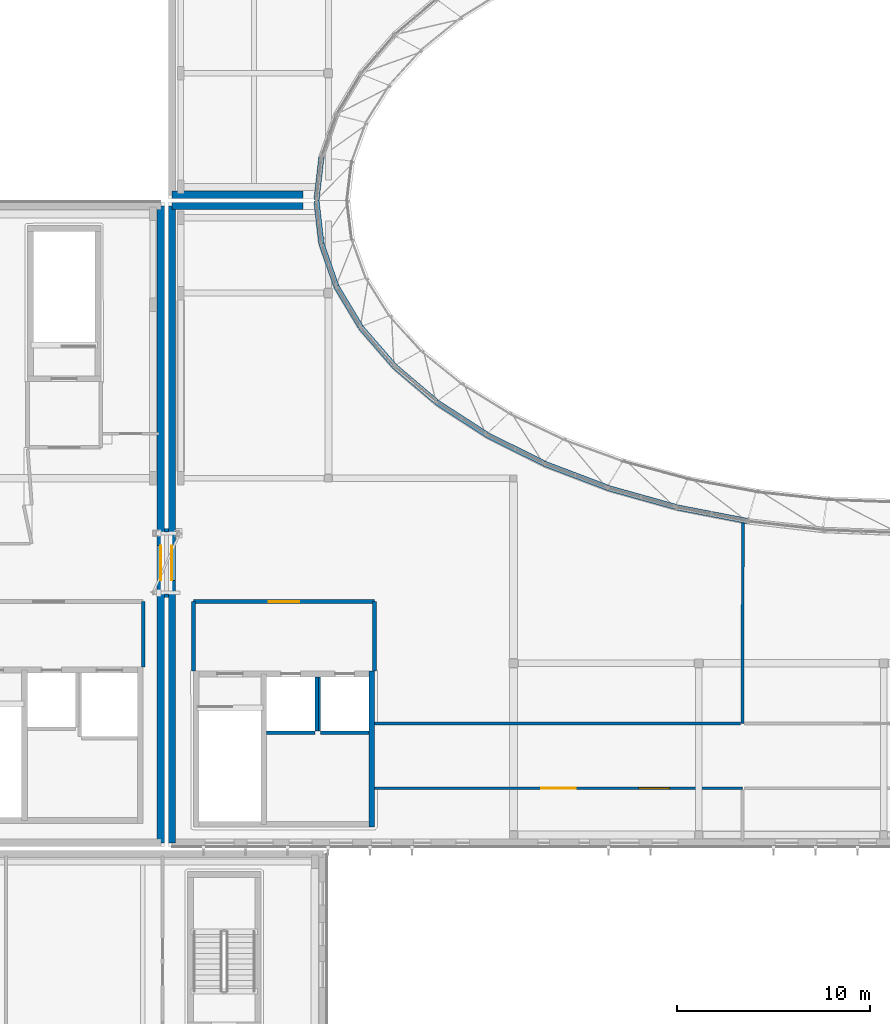
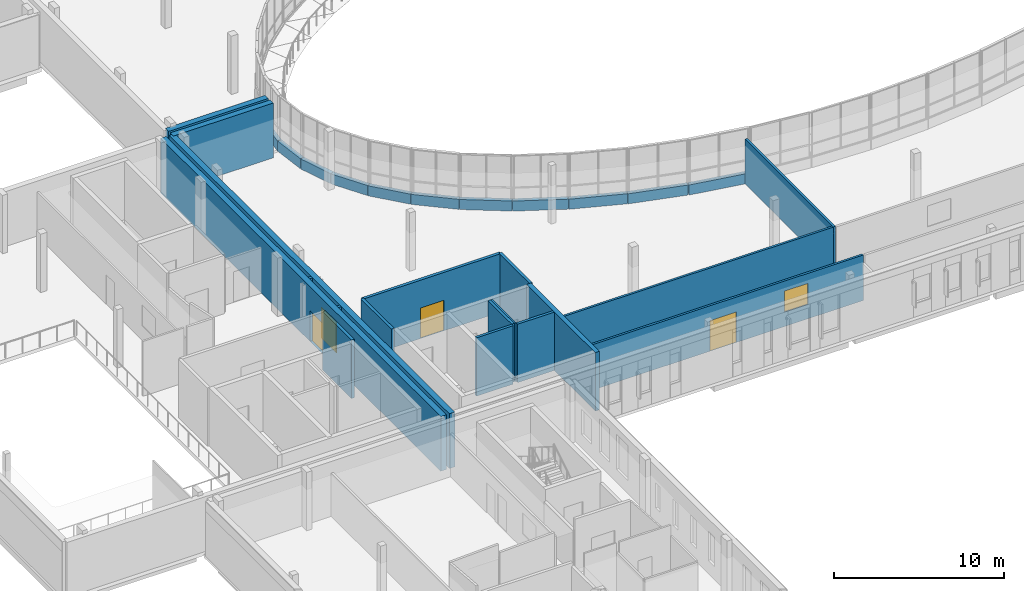
# One storey, part 40 of 73: 29 walls, 4 doors, 1 window, 5 openings.
"""IFC4 building model written with IfcOpenShell, lengths in metres."""

from ifc_helpers import new_model, si_unit, direction, frame, frame_2d, origin, place, context, subcontext, project, spatial, rectangle, extrude, material, layer, layer_set, type_object, element, fill, save


model = new_model("IFC4")

# Units and contexts
model_context = context("Model", 3, precision=1e-05, world=origin(), true_north=direction((0.0, 1.0)))
body_context = subcontext(model_context, "Body", "Model", "MODEL_VIEW")
ifc_project = project(units=[si_unit("LENGTHUNIT", "METRE"), si_unit("AREAUNIT", "SQUARE_METRE"), si_unit("VOLUMEUNIT", "CUBIC_METRE"), si_unit("PLANEANGLEUNIT", "RADIAN"), si_unit("MASSUNIT", "GRAM", prefix="KILO")], contexts=[model_context])

# Site, building, storey
site_placement = place(None, origin())
site = spatial("IfcSite", under=ifc_project, at=site_placement, CompositionType="ELEMENT")
building_placement = place(site_placement, origin())
building = spatial("IfcBuilding", under=site, at=building_placement, Name="Mzevani Central Library", CompositionType="ELEMENT")
storey_placement = place(building_placement, frame((0.0, 0.0, 9.60009765625)))
storey = spatial("IfcBuildingStorey", under=building, at=storey_placement, Name="L02", CompositionType="ELEMENT", Elevation=9.60009765625)

# Walls
ifc_material_1 = material(Name="Concrete C35/45", Category="concrete")
ifc_layer_1 = layer(ifc_material_1, 0.199951171875, Name="Compartment Wall 200")
ifc_layer_set_1 = layer_set([ifc_layer_1], Name="Concrete C35/45")
wall_type_1 = type_object("IfcWallType", Name="Compartment Wall 200", PredefinedType="STANDARD", material=ifc_layer_set_1)
for number, where, z_axis, x_axis, name in (
    (1, (45.89990234375, 55.5, 0.0), (0.0, 0.0, 1.0), (1.0, 0.0, 0.0), "L02 West Reading Seismic Passage L02 Seismic Joint Enclosure Wall 1"),
    (2, (45.89990234375, 58.89990234375, 0.0), (0.0, 0.0, 1.0), (1.0, 0.0, 0.0), "L02 West Reading Seismic Passage L02 Seismic Joint Enclosure Wall 2"),
):
    element("IfcWall", number, at=place(storey_placement, frame(where, z_axis=z_axis, x_axis=x_axis)), inside=storey, type_object=wall_type_1, Name=name, PredefinedType="STANDARD", context=body_context, shape_type="SweptSolid", body=[
        extrude(rectangle(XDim=0.2001953125, YDim=0.199951171875, at=frame_2d((0.10009765625, 0.0))), origin(), (0.0, 0.0, 1.0), 3.93994140625),
    ])
wall_1_placement = place(storey_placement, frame((47.39990234375, 51.60009765625, 0.0), z_axis=(0.0, 0.0, 1.0), x_axis=(0.0, 1.0, 0.0)))
element("IfcWall", 3, at=wall_1_placement, inside=storey, type_object=wall_type_1, Name="L02 Protected Stair Lobby C1A Enclosure Wall 1", PredefinedType="STANDARD", context=body_context, shape_type="SweptSolid", body=[
    extrude(rectangle(XDim=3.599853515625, YDim=0.199951171875, at=frame_2d((1.7998046875, 0.0))), origin(), (0.0, 0.0, 1.0), 4.199951171875),
])

# Wall, opening, door
wall_2_placement = place(storey_placement, frame((47.39990234375, 55.199951171875, 0.0), z_axis=(0.0, 0.0, 1.0), x_axis=(1.0, 0.0, 0.0)))
wall_2 = element("IfcWall", 4, at=wall_2_placement, inside=storey, type_object=wall_type_1, Name="L02 Protected Stair Lobby C1A Enclosure Wall 2", PredefinedType="STANDARD", context=body_context, shape_type="SweptSolid", body=[
    extrude(rectangle(XDim=9.400146484375, YDim=0.199951171875, at=frame_2d((4.7001953125, 0.0))), origin(), (0.0, 0.0, 1.0), 4.199951171875),
])
opening_1_placement = place(wall_2_placement, frame((3.89990234375, 0.0, 0.0)))
opening_1 = element("IfcOpeningElement", 5, at=opening_1_placement, cuts=wall_2, Name="Opening FD-02", PredefinedType="OPENING", context=body_context, shape_type="SweptSolid", body=[
    extrude(rectangle(XDim=1.60009765625, YDim=2.199951171875, at=frame_2d((0.800048828125, 1.10009765625))), frame((0.0, 0.10986328125, 0.0), z_axis=(0.0, -1.0, 0.0), x_axis=(1.0, 0.0, 0.0)), (0.0, 0.0, 1.0), 0.219970703125),
])
ifc_material_2 = material(Name="Fire-rated steel door assembly", Category="steel")
door_type_1 = type_object("IfcDoorType", Name="Fire Lobby Double Door 1600x2200", OperationType="NOTDEFINED", PredefinedType="DOOR", material=ifc_material_2)
door_1_placement = place(opening_1_placement, origin())
door_1 = element("IfcDoor", 6, at=door_1_placement, inside=storey, type_object=door_type_1, Name="L02 Protected Stair Lobby C1A Smoke-Control Door", OperationType="DOUBLE_DOOR_SINGLE_SWING", OverallHeight=2.199951171875, OverallWidth=1.60009765625, PredefinedType="DOOR", context=body_context, shape_type="SweptSolid", body=[
    extrude(rectangle(XDim=1.60009765625, YDim=2.199951171875, at=frame_2d((0.800048828125, 1.10009765625))), frame((0.0, 0.02490234375, 0.0), z_axis=(0.0, -1.0, 0.0), x_axis=(1.0, 0.0, 0.0)), (0.0, 0.0, 1.0), 0.050048828125),
])
fill(opening_1, door_1)

# Walls
wall_3_placement = place(storey_placement, frame((56.800048828125, 55.199951171875, 0.0), z_axis=(0.0, 0.0, 1.0), x_axis=(0.0, -1.0, 0.0)))
element("IfcWall", 7, at=wall_3_placement, inside=storey, type_object=wall_type_1, Name="L02 Protected Stair Lobby C1A Enclosure Wall 3", PredefinedType="STANDARD", context=body_context, shape_type="SweptSolid", body=[
    extrude(rectangle(XDim=3.599853515625, YDim=0.199951171875, at=frame_2d((1.7998046875, 0.0))), origin(), (0.0, 0.0, 1.0), 4.199951171875),
])
wall_4_placement = place(storey_placement, frame((44.800048828125, 55.199951171875, 0.0), z_axis=(0.0, 0.0, 1.0), x_axis=(0.0, -1.0, 0.0)))
element("IfcWall", 8, at=wall_4_placement, inside=storey, type_object=wall_type_1, Name="L02 Protected Stair Lobby C5A Enclosure Wall 3", PredefinedType="STANDARD", context=body_context, shape_type="SweptSolid", body=[
    extrude(rectangle(XDim=3.39990234375, YDim=0.199951171875, at=frame_2d((1.699951171875, 0.0))), origin(), (0.0, 0.0, 1.0), 4.199951171875),
])
ifc_material_3 = material(Name="Concrete C40/50", Category="concrete")
ifc_layer_2 = layer(ifc_material_3, 0.300048828125, Name="Core Shear Wall 300")
ifc_layer_set_2 = layer_set([ifc_layer_2], Name="Concrete C40/50")
wall_type_2 = type_object("IfcWallType", Name="Core Shear Wall 300", PredefinedType="SHEAR", material=ifc_layer_set_2)
wall_5_placement = place(storey_placement, frame((56.64990234375, 51.60009765625, 0.0), z_axis=(0.0, 0.0, 1.0), x_axis=(0.0, -1.0, 0.0)))
element("IfcWall", 9, at=wall_5_placement, inside=storey, type_object=wall_type_2, Name="L02 Core C1A Reading Hall West Shear Wall (+x)", PredefinedType="SHEAR", context=body_context, shape_type="SweptSolid", body=[
    extrude(rectangle(XDim=8.10009765625, YDim=0.300048828125, at=frame_2d((4.050048828125, 0.0))), origin(), (0.0, 0.0, 1.0), 4.199951171875),
])
ifc_material_4 = material(Name="Precast concrete C40/50", Category="concrete")
ifc_layer_3 = layer(ifc_material_4, 0.280029296875, Name="Court Spandrel Wall 280")
ifc_layer_set_3 = layer_set([ifc_layer_3], Name="Precast concrete C40/50")
wall_type_3 = type_object("IfcWallType", Name="Court Spandrel Wall 280", PredefinedType="STANDARD", material=ifc_layer_set_3)
for number, where, z_axis, x_axis, name in (
    (10, (54.036865234375, 78.228759765625, 0.0), (0.0, 0.0, 1.0), (-0.114794080666, -0.993389308904, 0.0), "L02 Elliptical Court Spandrel 24"),
    (11, (53.7802734375, 75.99169921875, 0.0), (0.0, 0.0, 1.0), (0.114794080666, -0.993389308904, 0.0), "L02 Elliptical Court Spandrel 25"),
):
    element("IfcWall", number, at=place(storey_placement, frame(where, z_axis=z_axis, x_axis=x_axis)), inside=storey, type_object=wall_type_3, Name=name, PredefinedType="STANDARD", context=body_context, shape_type="SweptSolid", body=[
        extrude(rectangle(XDim=2.2353515625, YDim=0.280029296875, at=frame_2d((1.11767578125, 0.0))), origin(), (0.0, 0.0, 1.0), 0.719970703125),
    ])
wall_6_placement = place(storey_placement, frame((54.0380859375, 73.7548828125, 0.0), z_axis=(0.0, 0.0, 1.0), x_axis=(0.331008570157, -0.943627747834, 0.0)))
element("IfcWall", 12, at=wall_6_placement, inside=storey, type_object=wall_type_3, Name="L02 Elliptical Court Spandrel 26", PredefinedType="STANDARD", context=body_context, shape_type="SweptSolid", body=[
    extrude(rectangle(XDim=2.31298828125, YDim=0.280029296875, at=frame_2d((1.156494140625, 0.0))), origin(), (0.0, 0.0, 1.0), 0.719970703125),
])
wall_7_placement = place(storey_placement, frame((54.80615234375, 71.555419921875, 0.0), z_axis=(0.0, 0.0, 1.0), x_axis=(0.513603793852, -0.858027472137, 0.0)))
element("IfcWall", 13, at=wall_7_placement, inside=storey, type_object=wall_type_3, Name="L02 Elliptical Court Spandrel 27", PredefinedType="STANDARD", context=body_context, shape_type="SweptSolid", body=[
    extrude(rectangle(XDim=2.4560546875, YDim=0.280029296875, at=frame_2d((1.22802734375, 0.0))), origin(), (0.0, 0.0, 1.0), 0.719970703125),
])
wall_8_placement = place(storey_placement, frame((56.07177734375, 69.430419921875, 0.0), z_axis=(0.0, 0.0, 1.0), x_axis=(0.656194711624, -0.754591611693, 0.0)))
element("IfcWall", 14, at=wall_8_placement, inside=storey, type_object=wall_type_3, Name="L02 Elliptical Court Spandrel 28", PredefinedType="STANDARD", context=body_context, shape_type="SweptSolid", body=[
    extrude(rectangle(XDim=2.64501953125, YDim=0.280029296875, at=frame_2d((1.322509765625, 0.0))), origin(), (0.0, 0.0, 1.0), 0.719970703125),
])
wall_9_placement = place(storey_placement, frame((57.8134765625, 67.416015625, 0.0), z_axis=(0.0, 0.0, 1.0), x_axis=(0.762423614177, -0.647078227531, 0.0)))
element("IfcWall", 15, at=wall_9_placement, inside=storey, type_object=wall_type_3, Name="L02 Elliptical Court Spandrel 29", PredefinedType="STANDARD", context=body_context, shape_type="SweptSolid", body=[
    extrude(rectangle(XDim=2.859619140625, YDim=0.280029296875, at=frame_2d((1.4296875, 0.0))), origin(), (0.0, 0.0, 1.0), 0.719970703125),
])
wall_10_placement = place(storey_placement, frame((60.00244140625, 65.545654296875, 0.0), z_axis=(0.0, 0.0, 1.0), x_axis=(0.839733807204, -0.54299828088, 0.0)))
element("IfcWall", 16, at=wall_10_placement, inside=storey, type_object=wall_type_3, Name="L02 Elliptical Court Spandrel 30", PredefinedType="STANDARD", context=body_context, shape_type="SweptSolid", body=[
    extrude(rectangle(XDim=3.081298828125, YDim=0.280029296875, at=frame_2d((1.54052734375, 0.0))), origin(), (0.0, 0.0, 1.0), 0.719970703125),
])
wall_11_placement = place(storey_placement, frame((62.60205078125, 63.85107421875, 0.0), z_axis=(0.0, 0.0, 1.0), x_axis=(0.89538829801, -0.44528619537, 0.0)))
element("IfcWall", 17, at=wall_11_placement, inside=storey, type_object=wall_type_3, Name="L02 Elliptical Court Spandrel 31", PredefinedType="STANDARD", context=body_context, shape_type="SweptSolid", body=[
    extrude(rectangle(XDim=3.295166015625, YDim=0.280029296875, at=frame_2d((1.6474609375, 0.0))), origin(), (0.0, 0.0, 1.0), 0.719970703125),
])
wall_12_placement = place(storey_placement, frame((65.5693359375, 62.36083984375, 0.0), z_axis=(0.0, 0.0, 1.0), x_axis=(0.935124674426, -0.354318844092, 0.0)))
element("IfcWall", 18, at=wall_12_placement, inside=storey, type_object=wall_type_3, Name="L02 Elliptical Court Spandrel 32", PredefinedType="STANDARD", context=body_context, shape_type="SweptSolid", body=[
    extrude(rectangle(XDim=3.4892578125, YDim=0.280029296875, at=frame_2d((1.74462890625, 0.0))), origin(), (0.0, 0.0, 1.0), 0.719970703125),
])
wall_13_placement = place(storey_placement, frame((68.855712890625, 61.100830078125, 0.0), z_axis=(0.0, 0.0, 1.0), x_axis=(0.963054168118, -0.269307759395, 0.0)))
element("IfcWall", 19, at=wall_13_placement, inside=storey, type_object=wall_type_3, Name="L02 Elliptical Court Spandrel 33", PredefinedType="STANDARD", context=body_context, shape_type="SweptSolid", body=[
    extrude(rectangle(XDim=3.654296875, YDim=0.280029296875, at=frame_2d((1.8271484375, 0.0))), origin(), (0.0, 0.0, 1.0), 0.719970703125),
])
wall_14_placement = place(storey_placement, frame((72.406494140625, 60.093994140625, 0.0), z_axis=(0.0, 0.0, 1.0), x_axis=(0.981969613273, -0.189038828311, 0.0)))
element("IfcWall", 20, at=wall_14_placement, inside=storey, type_object=wall_type_3, Name="L02 Elliptical Court Spandrel 34", PredefinedType="STANDARD", context=body_context, shape_type="SweptSolid", body=[
    extrude(rectangle(XDim=3.783935546875, YDim=0.280029296875, at=frame_2d((1.89208984375, 0.0))), origin(), (0.0, 0.0, 1.0), 0.719970703125),
])

# Wall, opening, door
ifc_layer_4 = layer(ifc_material_4, 0.3798828125, Name="Exterior Thermal Concrete Wall 380")
ifc_layer_set_4 = layer_set([ifc_layer_4], Name="Precast concrete C40/50")
wall_type_4 = type_object("IfcWallType", Name="Exterior Thermal Concrete Wall 380", PredefinedType="STANDARD", material=ifc_layer_set_4)
wall_15_placement = place(storey_placement, frame((46.2900390625, 42.68994140625, 0.0), z_axis=(0.0, 0.0, 1.0), x_axis=(0.0, 1.0, 0.0)))
wall_15 = element("IfcWall", 21, at=wall_15_placement, inside=storey, type_object=wall_type_4, Name="L02 V1 Exterior Thermal Wall (12)", PredefinedType="STANDARD", context=body_context, shape_type="SweptSolid", body=[
    extrude(rectangle(XDim=33.02001953125, YDim=0.3798828125, at=frame_2d((16.510009765625, 0.0))), origin(), (0.0, 0.0, 1.0), 3.93994140625),
])
opening_2_placement = place(wall_15_placement, frame((13.610107421875, 0.0, 0.0)))
opening_2 = element("IfcOpeningElement", 22, at=opening_2_placement, cuts=wall_15, Name="Opening FD-06", PredefinedType="OPENING", context=body_context, shape_type="SweptSolid", body=[
    extrude(rectangle(XDim=1.800048828125, YDim=2.199951171875, at=frame_2d((0.89990234375, 1.10009765625))), frame((0.0, 0.199951171875, 0.0), z_axis=(0.0, -1.0, 0.0), x_axis=(1.0, 0.0, 0.0)), (0.0, 0.0, 1.0), 0.39990234375),
])
door_type_2 = type_object("IfcDoorType", Name="Fire Corridor Double Door 1800x2200", OperationType="NOTDEFINED", PredefinedType="DOOR", material=ifc_material_2)
door_2_placement = place(opening_2_placement, origin())
door_2 = element("IfcDoor", 23, at=door_2_placement, inside=storey, type_object=door_type_2, Name="L02 West Reading Seismic Passage L02 Fire Portal Door (V1)", OperationType="DOUBLE_DOOR_SINGLE_SWING", OverallHeight=2.199951171875, OverallWidth=1.800048828125, PredefinedType="DOOR", context=body_context, shape_type="SweptSolid", body=[
    extrude(rectangle(XDim=1.800048828125, YDim=2.199951171875, at=frame_2d((0.89990234375, 1.10009765625))), frame((0.0, 0.02490234375, 0.0), z_axis=(0.0, -1.0, 0.0), x_axis=(1.0, 0.0, 0.0)), (0.0, 0.0, 1.0), 0.050048828125),
])
fill(opening_2, door_2)

# Walls
wall_16_placement = place(storey_placement, frame((46.2900390625, 75.7099609375, 0.0), z_axis=(0.0, 0.0, 1.0), x_axis=(1.0, 0.0, 0.0)))
element("IfcWall", 24, at=wall_16_placement, inside=storey, type_object=wall_type_4, Name="L02 V1 Exterior Thermal Wall (13)", PredefinedType="STANDARD", context=body_context, shape_type="SweptSolid", body=[
    extrude(rectangle(XDim=6.787109375, YDim=0.3798828125, at=frame_2d((3.3935546875, 0.0))), origin(), (0.0, 0.0, 1.0), 3.93994140625),
])
wall_17_placement = place(storey_placement, frame((53.0771484375, 76.2900390625, 0.0), z_axis=(0.0, 0.0, 1.0), x_axis=(-1.0, 0.0, 0.0)))
element("IfcWall", 25, at=wall_17_placement, inside=storey, type_object=wall_type_4, Name="L02 V3 Exterior Thermal Wall (61)", PredefinedType="STANDARD", context=body_context, shape_type="SweptSolid", body=[
    extrude(rectangle(XDim=6.787109375, YDim=0.3798828125, at=frame_2d((3.3935546875, 0.0))), origin(), (0.0, 0.0, 1.0), 3.919921875),
])

# Wall, opening, door
wall_18_placement = place(storey_placement, frame((45.7099609375, 75.7099609375, 0.0), z_axis=(0.0, 0.0, 1.0), x_axis=(0.0, -1.0, 0.0)))
wall_18 = element("IfcWall", 26, at=wall_18_placement, inside=storey, type_object=wall_type_4, Name="L02 V5 Exterior Thermal Wall (98)", PredefinedType="STANDARD", context=body_context, shape_type="SweptSolid", body=[
    extrude(rectangle(XDim=33.02001953125, YDim=0.3798828125, at=frame_2d((16.510009765625, 0.0))), origin(), (0.0, 0.0, 1.0), 3.93994140625),
])
opening_3_placement = place(wall_18_placement, frame((17.610107421875, 0.0, 0.0)))
opening_3 = element("IfcOpeningElement", 27, at=opening_3_placement, cuts=wall_18, Name="Opening FD-06", PredefinedType="OPENING", context=body_context, shape_type="SweptSolid", body=[
    extrude(rectangle(XDim=1.800048828125, YDim=2.199951171875, at=frame_2d((0.89990234375, 1.10009765625))), frame((0.0, 0.199951171875, 0.0), z_axis=(0.0, -1.0, 0.0), x_axis=(1.0, 0.0, 0.0)), (0.0, 0.0, 1.0), 0.39990234375),
])
door_3_placement = place(opening_3_placement, origin())
door_3 = element("IfcDoor", 28, at=door_3_placement, inside=storey, type_object=door_type_2, Name="L02 West Reading Seismic Passage L02 Fire Portal Door (V5)", OperationType="DOUBLE_DOOR_SINGLE_SWING", OverallHeight=2.199951171875, OverallWidth=1.800048828125, PredefinedType="DOOR", context=body_context, shape_type="SweptSolid", body=[
    extrude(rectangle(XDim=1.800048828125, YDim=2.199951171875, at=frame_2d((0.89990234375, 1.10009765625))), frame((0.0, 0.02490234375, 0.0), z_axis=(0.0, -1.0, 0.0), x_axis=(1.0, 0.0, 0.0)), (0.0, 0.0, 1.0), 0.050048828125),
])
fill(opening_3, door_3)

# Walls
ifc_material_5 = material(Name="Fire-rated gypsum board", Category="gypsum")
ifc_layer_5 = layer(ifc_material_5, 0.14990234375, Name="Partition Study 150")
ifc_layer_set_5 = layer_set([ifc_layer_5], Name="Fire-rated gypsum board")
wall_type_5 = type_object("IfcWallType", Name="Partition Study 150", PredefinedType="PARTITIONING", material=ifc_layer_set_5)
wall_19_placement = place(storey_placement, frame((75.89501953125, 59.308837890625, 0.0), z_axis=(0.0, 0.0, 1.0), x_axis=(-0.002879403753, -0.999995854508, 0.0)))
element("IfcWall", 29, at=wall_19_placement, inside=storey, type_object=wall_type_5, Name="L02 V1 Partition IW-03 (367)", PredefinedType="PARTITIONING", context=body_context, shape_type="SweptSolid", body=[
    extrude(rectangle(XDim=10.428955078125, YDim=0.14990234375, at=frame_2d((5.21435546875, 0.0))), origin(), (0.0, 0.0, 1.0), 3.219970703125),
])
wall_20_placement = place(storey_placement, frame((75.764892578125, 48.8798828125, 0.0), z_axis=(0.0, 0.0, 1.0), x_axis=(-1.0, 0.0, 0.0)))
element("IfcWall", 30, at=wall_20_placement, inside=storey, type_object=wall_type_5, Name="L02 V1 Partition IW-03 (368)", PredefinedType="PARTITIONING", context=body_context, shape_type="SweptSolid", body=[
    extrude(rectangle(XDim=18.96484375, YDim=0.14990234375, at=frame_2d((9.482421875, 0.0))), origin(), (0.0, 0.0, 1.0), 3.27001953125),
])

# Wall, openings, door, window
wall_21_placement = place(storey_placement, frame((56.800048828125, 45.52001953125, 0.0), z_axis=(0.0, 0.0, 1.0), x_axis=(1.0, 0.0, 0.0)))
wall_21 = element("IfcWall", 31, at=wall_21_placement, inside=storey, type_object=wall_type_5, Name="L02 V1 Partition IW-03 (369)", PredefinedType="PARTITIONING", context=body_context, shape_type="SweptSolid", body=[
    extrude(rectangle(XDim=19.06494140625, YDim=0.14990234375, at=frame_2d((9.532470703125, 0.0))), origin(), (0.0, 0.0, 1.0), 3.27001953125),
])
opening_4_placement = place(wall_21_placement, frame((8.632568359375, 0.0, 0.0)))
opening_4 = element("IfcOpeningElement", 32, at=opening_4_placement, cuts=wall_21, Name="Opening FD-06", PredefinedType="OPENING", context=body_context, shape_type="SweptSolid", body=[
    extrude(rectangle(XDim=1.800048828125, YDim=2.199951171875, at=frame_2d((0.89990234375, 1.10009765625))), frame((0.0, 0.0849609375, 0.0), z_axis=(0.0, -1.0, 0.0), x_axis=(1.0, 0.0, 0.0)), (0.0, 0.0, 1.0), 0.169921875),
])
opening_5_placement = place(wall_21_placement, frame((13.689453125, 0.0, 1.050048828125)))
opening_5 = element("IfcOpeningElement", 33, at=opening_5_placement, cuts=wall_21, Name="Opening IW-W01", PredefinedType="OPENING", context=body_context, shape_type="SweptSolid", body=[
    extrude(rectangle(XDim=1.60009765625, YDim=1.5, at=frame_2d((0.800048828125, 0.75))), frame((0.0, 0.0849609375, 0.0), z_axis=(0.0, -1.0, 0.0), x_axis=(1.0, 0.0, 0.0)), (0.0, 0.0, 1.0), 0.169921875),
])
door_4_placement = place(opening_4_placement, origin())
door_4 = element("IfcDoor", 34, at=door_4_placement, inside=storey, type_object=door_type_2, Name="L02 Gridshell Panorama Reading Gallery Door", OperationType="DOUBLE_DOOR_SINGLE_SWING", OverallHeight=2.199951171875, OverallWidth=1.800048828125, PredefinedType="DOOR", context=body_context, shape_type="SweptSolid", body=[
    extrude(rectangle(XDim=1.800048828125, YDim=2.199951171875, at=frame_2d((0.89990234375, 1.10009765625))), frame((0.0, 0.02490234375, 0.0), z_axis=(0.0, -1.0, 0.0), x_axis=(1.0, 0.0, 0.0)), (0.0, 0.0, 1.0), 0.050048828125),
])
fill(opening_4, door_4)
ifc_material_6 = material(Name="Low-E triple glazing glass", Category="glass")
window_type = type_object("IfcWindowType", Name="Interior Borrowed Light 1600x1500", PartitioningType="SINGLE_PANEL", PredefinedType="WINDOW", material=ifc_material_6)
window_placement = place(opening_5_placement, origin())
window = element("IfcWindow", 35, at=window_placement, inside=storey, type_object=window_type, Name="L02 Gridshell Panorama Reading Gallery Acoustic Borrowed Light", OverallHeight=1.5, OverallWidth=1.60009765625, PartitioningType="SINGLE_PANEL", PredefinedType="WINDOW", context=body_context, shape_type="SweptSolid", body=[
    extrude(rectangle(XDim=1.60009765625, YDim=1.5, at=frame_2d((0.800048828125, 0.75))), frame((0.0, 0.030029296875, 0.0), z_axis=(0.0, -1.0, 0.0), x_axis=(1.0, 0.0, 0.0)), (0.0, 0.0, 1.0), 0.06005859375),
])
fill(opening_5, window)

# Walls
ifc_material_7 = material(Name="Concrete blockwork masonry", Category="masonry")
ifc_layer_6 = layer(ifc_material_7, 0.179931640625, Name="Shaft Enclosure Wall 180")
ifc_layer_set_6 = layer_set([ifc_layer_6], Name="Concrete blockwork masonry")
wall_type_6 = type_object("IfcWallType", Name="Shaft Enclosure Wall 180", PredefinedType="PARTITIONING", material=ifc_layer_set_6)
wall_22_placement = place(storey_placement, frame((51.199951171875, 48.409912109375, 0.0), z_axis=(0.0, 0.0, 1.0), x_axis=(1.0, 0.0, 0.0)))
element("IfcWall", 36, at=wall_22_placement, inside=storey, type_object=wall_type_6, Name="L02 Lift LF-P1 Hoistway Enclosure Wall", PredefinedType="PARTITIONING", context=body_context, shape_type="SweptSolid", body=[
    extrude(rectangle(XDim=2.5, YDim=0.179931640625, at=frame_2d((1.25, 0.0))), origin(), (0.0, 0.0, 1.0), 4.199951171875),
])
wall_23_placement = place(storey_placement, frame((53.7900390625, 48.5, 0.0), z_axis=(0.0, 0.0, 1.0), x_axis=(0.0, 1.0, 0.0)))
element("IfcWall", 37, at=wall_23_placement, inside=storey, type_object=wall_type_6, Name="L02 Lift LF-P1 Hoistway Enclosure Wall", PredefinedType="PARTITIONING", context=body_context, shape_type="SweptSolid", body=[
    extrude(rectangle(XDim=2.800048828125, YDim=0.179931640625, at=frame_2d((1.39990234375, 0.0))), origin(), (0.0, 0.0, 1.0), 4.199951171875),
])
wall_24_placement = place(storey_placement, frame((54.0, 48.409912109375, 0.0), z_axis=(0.0, 0.0, 1.0), x_axis=(1.0, 0.0, 0.0)))
element("IfcWall", 38, at=wall_24_placement, inside=storey, type_object=wall_type_6, Name="L02 Lift LF-P2 Hoistway Enclosure Wall", PredefinedType="PARTITIONING", context=body_context, shape_type="SweptSolid", body=[
    extrude(rectangle(XDim=2.5, YDim=0.179931640625, at=frame_2d((1.25, 0.0))), origin(), (0.0, 0.0, 1.0), 4.199951171875),
])
wall_25_placement = place(storey_placement, frame((53.909912109375, 48.5, 0.0), z_axis=(0.0, 0.0, 1.0), x_axis=(0.0, 1.0, 0.0)))
element("IfcWall", 39, at=wall_25_placement, inside=storey, type_object=wall_type_6, Name="L02 Lift LF-P2 Hoistway Enclosure Wall", PredefinedType="PARTITIONING", context=body_context, shape_type="SweptSolid", body=[
    extrude(rectangle(XDim=2.800048828125, YDim=0.179931640625, at=frame_2d((1.39990234375, 0.0))), origin(), (0.0, 0.0, 1.0), 4.199951171875),
])

save(model, "model.ifc")
